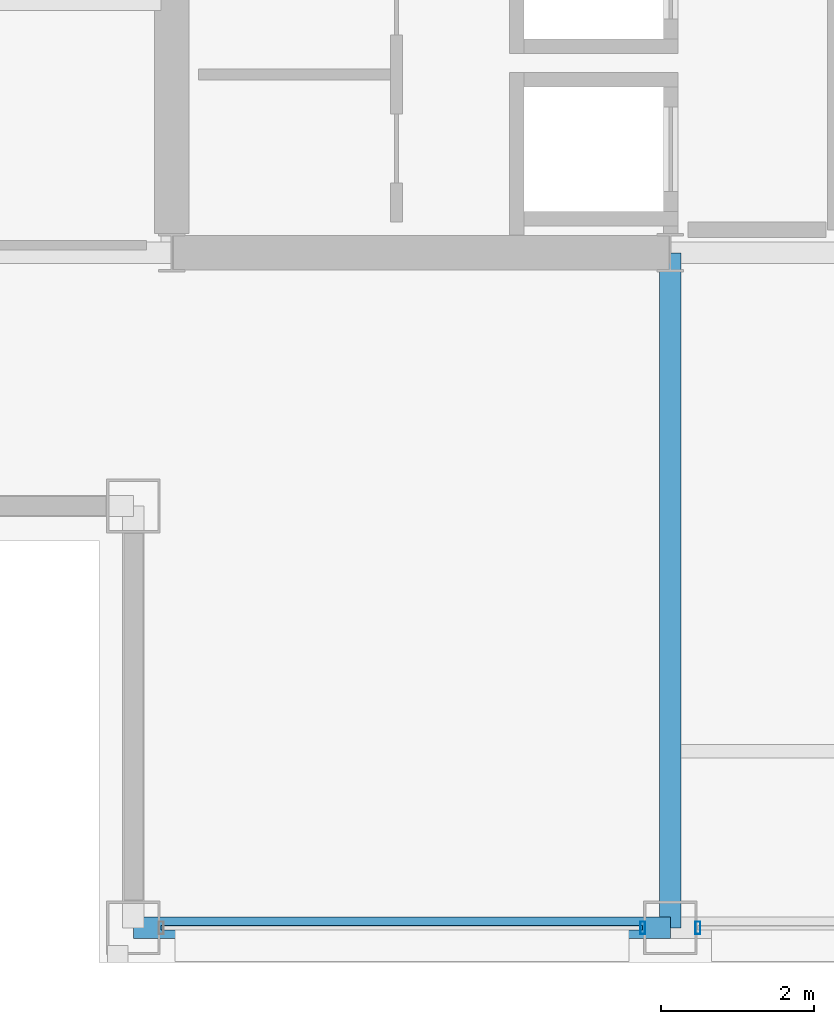
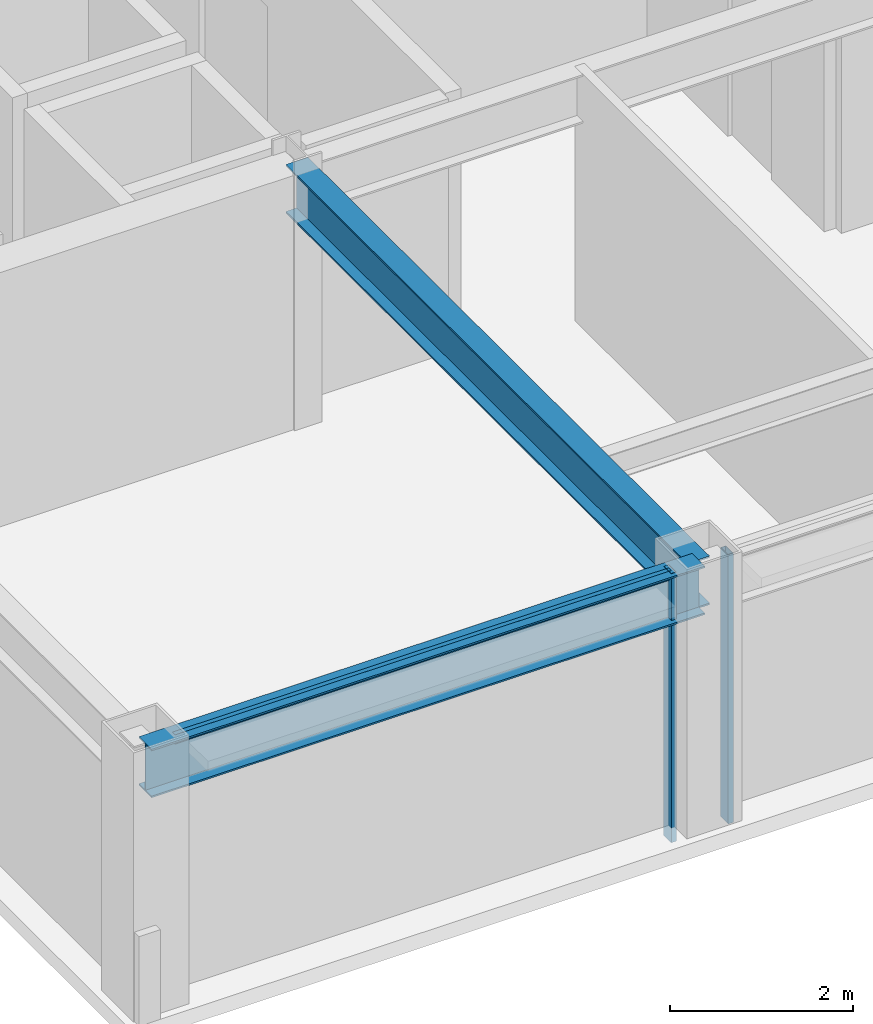
# One storey, part 3 of 30: 3 members, 2 beams, 2 elements without a shape of their own.
"""IFC4 building model written with IfcOpenShell, lengths in metres."""

from ifc_helpers import new_model, si_unit, direction, frame, origin, origin_2d, place, context, subcontext, project, spatial, hollow_rectangle, i_section, extrude, material, layer, layer_set, material_profile, profile_set, type_object, element, aggregate, save


model = new_model("IFC4")

# Units and contexts
model_context = context("Model", 3, precision=1e-05, world=origin(), true_north=direction((0.0, 1.0)))
body_context = subcontext(model_context, "Body", "Model", "MODEL_VIEW")
ifc_project = project(units=[si_unit("LENGTHUNIT", "METRE"), si_unit("AREAUNIT", "SQUARE_METRE"), si_unit("VOLUMEUNIT", "CUBIC_METRE"), si_unit("PLANEANGLEUNIT", "RADIAN"), si_unit("MASSUNIT", "GRAM", prefix="KILO")], contexts=[model_context])

# Site, building, storey
site_placement = place(None, origin())
site = spatial("IfcSite", under=ifc_project, at=site_placement, CompositionType="ELEMENT")
building_placement = place(site_placement, origin())
building = spatial("IfcBuilding", under=site, at=building_placement, Name="Brelmoor Portico Tower", CompositionType="ELEMENT")
storey_placement = place(building_placement, frame((0.0, 0.0, 187.5)))
storey = spatial("IfcBuildingStorey", under=building, at=storey_placement, Name="L49", CompositionType="ELEMENT", Elevation=187.5)

# Beams
ifc_material_1 = material(Name="Steel Q355B", Category="steel")
ifc_material_profile_1 = material_profile(ifc_material_1, i_section(OverallWidth=0.280029296875, OverallDepth=0.64990234375, WebThickness=0.012939453125, FlangeThickness=0.02197265625, at=origin_2d()), Name="HN 650x280x13x22")
ifc_profile_set_1 = profile_set([ifc_material_profile_1], Name="Steel Q355B")
beam_type_1 = type_object("IfcBeamType", Name="BM-PG-650", PredefinedType="BEAM", material=ifc_profile_set_1)
beam_1_placement = place(storey_placement, frame((-8.050048828125, -18.550048828125, 3.074951171875), z_axis=(0.0, 1.0, 0.0), x_axis=(-1.0, 0.0, 0.0)))
element("IfcBeam", 1, at=beam_1_placement, inside=storey, type_object=beam_type_1, Name="L49 Primary Floor Girder PG-03", PredefinedType="BEAM", context=body_context, shape_type="SweptSolid", body=[
    extrude(i_section(OverallWidth=0.280029296875, OverallDepth=0.64990234375, WebThickness=0.012939453125, FlangeThickness=0.02197265625, at=origin_2d()), origin(), (0.0, 0.0, 1.0), 8.800048828125),
])
ifc_material_profile_2 = material_profile(ifc_material_1, i_section(OverallWidth=0.280029296875, OverallDepth=0.64990234375, WebThickness=0.012939453125, FlangeThickness=0.02197265625, at=origin_2d()), Name="HN 650x280x13x22")
ifc_profile_set_2 = profile_set([ifc_material_profile_2], Name="Steel Q355B")
beam_type_2 = type_object("IfcBeamType", Name="BM-SP-650", PredefinedType="SPANDREL", material=ifc_profile_set_2)
beam_2_placement = place(storey_placement, frame((-15.050048828125, -18.550048828125, 3.074951171875), z_axis=(1.0, 0.0, 0.0), x_axis=(0.0, 1.0, 0.0)))
element("IfcBeam", 2, at=beam_2_placement, inside=storey, type_object=beam_type_2, Name="L49 Perimeter Spandrel Beam SP-01", PredefinedType="SPANDREL", context=body_context, shape_type="SweptSolid", body=[
    extrude(i_section(OverallWidth=0.280029296875, OverallDepth=0.64990234375, WebThickness=0.012939453125, FlangeThickness=0.02197265625, at=origin_2d()), origin(), (0.0, 0.0, 1.0), 7.0),
])

# Curtain wall, member
ifc_material_2 = material(Name="Anodised Aluminium Alloy 6063-T6", Category="aluminium")
ifc_layer = layer(ifc_material_2, 0.179931640625)
ifc_layer_set = layer_set([ifc_layer], Name="Anodised Aluminium Alloy 6063-T6")
curtain_wall_type = type_object("IfcCurtainWallType", Name="CW-TOWER-Z3-XB", PredefinedType="NOTDEFINED", material=ifc_layer_set)
curtain_wall_1_placement = place(storey_placement, origin())
curtain_wall_1 = element("IfcCurtainWall", 3, at=curtain_wall_1_placement, inside=storey, type_object=curtain_wall_type, Name="L49 Curtain Wall CW-L49-01-1", PredefinedType="NOTDEFINED")
ifc_material_profile_3 = material_profile(ifc_material_2, hollow_rectangle(XDim=0.06494140625, YDim=0.1650390625, WallThickness=0.00390625, at=origin_2d()), Name="ALU MULLION 65x165")
ifc_profile_set_3 = profile_set([ifc_material_profile_3], Name="Anodised Aluminium Alloy 6063-T6")
member_type_1 = type_object("IfcMemberType", Name="MB-CW-MULL-165", PredefinedType="MULLION", material=ifc_profile_set_3)
member_1_placement = place(storey_placement, frame((-8.409912109375, -18.550048828125, -0.199951171875), z_axis=(0.0, 0.0, 1.0), x_axis=(1.0, 0.0, 0.0)))
member_1 = element("IfcMember", 4, at=member_1_placement, type_object=member_type_1, Name="CW-L49-01-1 Mullion 01", PredefinedType="MULLION", context=body_context, shape_type="SweptSolid", body=[
    extrude(hollow_rectangle(XDim=0.06494140625, YDim=0.1650390625, WallThickness=0.00390625, at=origin_2d()), origin(), (0.0, 0.0, 1.0), 3.599853515625),
])

curtain_wall_2_placement = place(storey_placement, origin())
curtain_wall_2 = element("IfcCurtainWall", 5, at=curtain_wall_2_placement, inside=storey, type_object=curtain_wall_type, Name="L49 Curtain Wall CW-L49-01-2", PredefinedType="NOTDEFINED")
member_2_placement = place(storey_placement, frame((-7.68994140625, -18.550048828125, -0.199951171875), z_axis=(0.0, 0.0, 1.0), x_axis=(1.0, 0.0, 0.0)))
member_2 = element("IfcMember", 6, at=member_2_placement, type_object=member_type_1, Name="CW-L49-01-2 Mullion 00", PredefinedType="MULLION", context=body_context, shape_type="SweptSolid", body=[
    extrude(hollow_rectangle(XDim=0.06494140625, YDim=0.1650390625, WallThickness=0.00390625, at=origin_2d()), origin(), (0.0, 0.0, 1.0), 3.599853515625),
])
aggregate(curtain_wall_2, [member_2])

# Member
ifc_material_profile_4 = material_profile(ifc_material_2, hollow_rectangle(XDim=0.06005859375, YDim=0.125, WallThickness=0.00341796875, at=origin_2d()), Name="ALU TRANSOM 60x125")
ifc_profile_set_4 = profile_set([ifc_material_profile_4], Name="Anodised Aluminium Alloy 6063-T6")
member_type_2 = type_object("IfcMemberType", Name="MB-CW-TRAN-125", PredefinedType="USERDEFINED", material=ifc_profile_set_4)
member_3_placement = place(storey_placement, frame((-14.68994140625, -18.550048828125, 3.33740234375), z_axis=(1.0, 0.0, 0.0), x_axis=(0.0, 1.0, 0.0)))
member_3 = element("IfcMember", 7, at=member_3_placement, type_object=member_type_2, Name="CW-L49-01-1 Transom 1-00", ObjectType="TRANSOM", PredefinedType="USERDEFINED", context=body_context, shape_type="SweptSolid", body=[
    extrude(hollow_rectangle(XDim=0.06005859375, YDim=0.125, WallThickness=0.00341796875, at=origin_2d()), origin(), (0.0, 0.0, 1.0), 6.280029296875),
])

aggregate(curtain_wall_1, [member_1, member_3])

save(model, "model.ifc")
